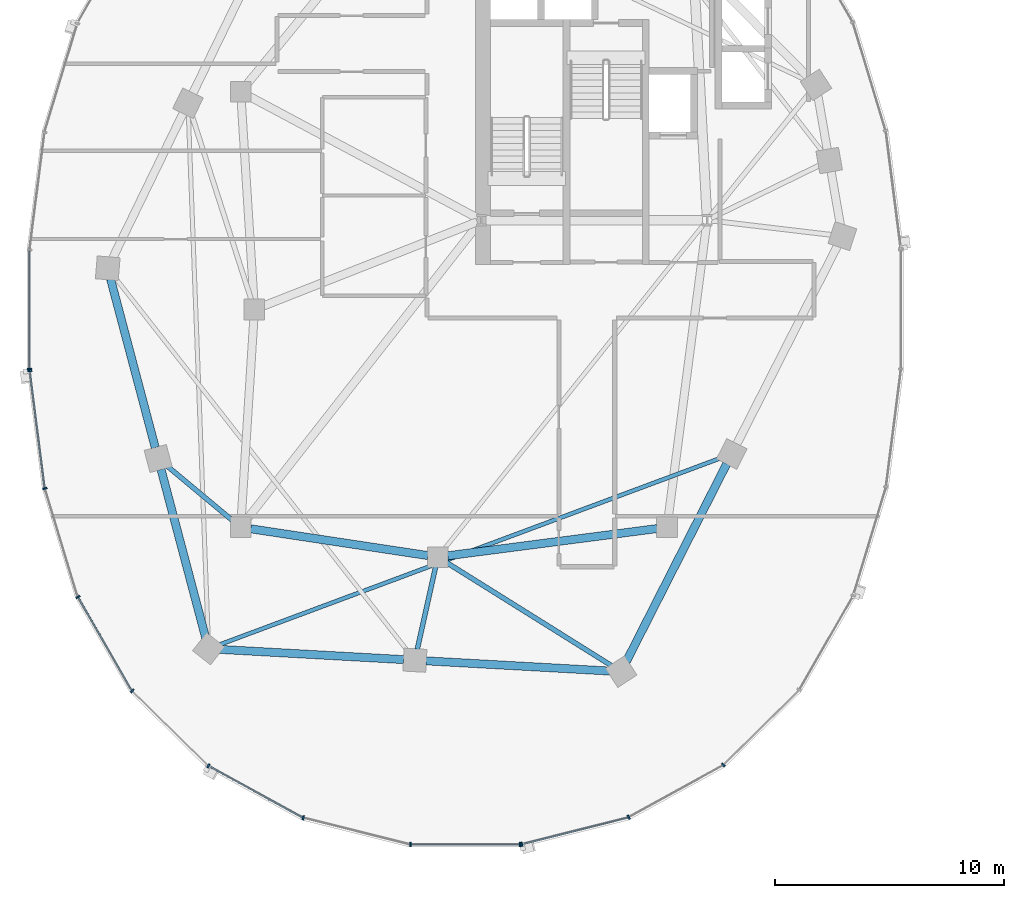
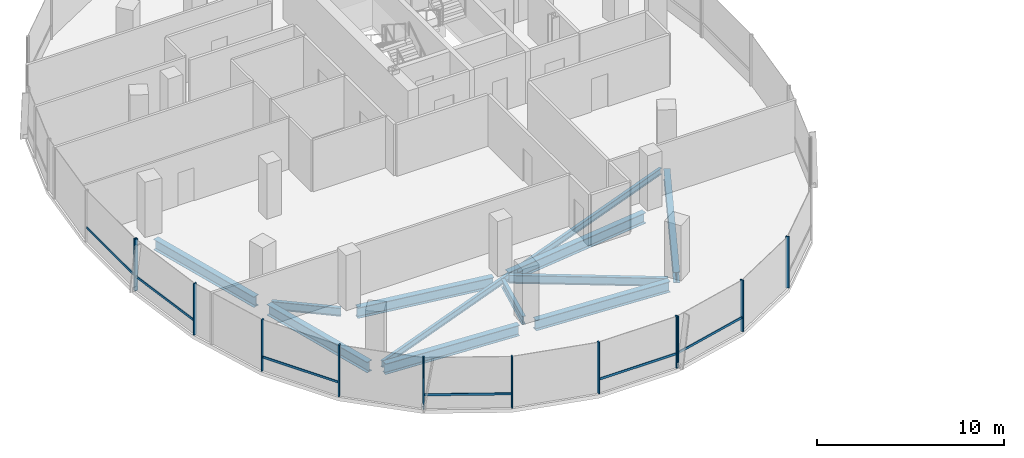
# One storey, part 2 of 22: 18 members, 11 beams, 3 elements without a shape of their own.
"""IFC4 building model written with IfcOpenShell, lengths in metres."""

from ifc_helpers import new_model, si_unit, direction, frame, origin, origin_2d, place, context, subcontext, project, spatial, rectangle, i_section, extrude, material, material_profile, profile_set, type_object, element, aggregate, save


model = new_model("IFC4")

# Units and contexts
model_context = context("Model", 3, precision=1e-05, world=origin(), true_north=direction((0.0, 1.0)))
body_context = subcontext(model_context, "Body", "Model", "MODEL_VIEW")
ifc_project = project(units=[si_unit("LENGTHUNIT", "METRE"), si_unit("AREAUNIT", "SQUARE_METRE"), si_unit("VOLUMEUNIT", "CUBIC_METRE"), si_unit("PLANEANGLEUNIT", "RADIAN"), si_unit("MASSUNIT", "GRAM", prefix="KILO"), si_unit("THERMODYNAMICTEMPERATUREUNIT", "KELVIN"), si_unit("POWERUNIT", "WATT")], contexts=[model_context])

# Site, building, storey
site_placement = place(None, origin())
site = spatial("IfcSite", under=ifc_project, at=site_placement, CompositionType="ELEMENT")
building_placement = place(site_placement, origin())
building = spatial("IfcBuilding", under=site, at=building_placement, Name="Cundina Bronze Exchange", CompositionType="ELEMENT")
storey_placement = place(building_placement, frame((0.0, 0.0, 151.199951171875)))
storey = spatial("IfcBuildingStorey", under=building, at=storey_placement, Name="L39", CompositionType="ELEMENT", Elevation=151.199951171875)

# Beams
ifc_material_1 = material(Name="Steel ASTM A992 Grade 50", Category="steel")
ifc_material_profile_1 = material_profile(ifc_material_1, i_section(OverallWidth=0.2119140625, OverallDepth=0.5439453125, WebThickness=0.01318359375, FlangeThickness=0.021240234375, FilletRadius=0.013916015625, at=origin_2d()), Name="W21X83", Category="steel")
ifc_profile_set_1 = profile_set([ifc_material_profile_1], Name="Steel ASTM A992 Grade 50")
beam_type_1 = type_object("IfcBeamType", Name="BM-FLR-W21A", PredefinedType="BEAM", material=ifc_profile_set_1)
beam_1_placement = place(storey_placement, frame((-42.136474609375, -9.219482421875, -0.511962890625), z_axis=(-0.768253211489, 0.640146079451, 0.0), x_axis=(-0.640146079451, -0.768253211489, 0.0)))
element("IfcBeam", 1, at=beam_1_placement, inside=storey, type_object=beam_type_1, Name="L39 Leg W Radial Floor Beam 09", PredefinedType="BEAM", context=body_context, shape_type="SweptSolid", body=[
    extrude(i_section(OverallWidth=0.2119140625, OverallDepth=0.5439453125, WebThickness=0.01318359375, FlangeThickness=0.021240234375, FilletRadius=0.013916015625, at=origin_2d()), origin(), (0.0, 0.0, 1.0), 3.760009765625),
])
beam_2_placement = place(storey_placement, frame((-33.294921875, -11.2275390625, -0.511962890625), z_axis=(-0.216923440287, -0.976188619609, 0.0), x_axis=(0.976188619609, -0.216923440287, 0.0)))
element("IfcBeam", 2, at=beam_2_placement, inside=storey, type_object=beam_type_1, Name="L39 Leg W Radial Floor Beam 11", PredefinedType="BEAM", context=body_context, shape_type="SweptSolid", body=[
    extrude(i_section(OverallWidth=0.2119140625, OverallDepth=0.5439453125, WebThickness=0.01318359375, FlangeThickness=0.021240234375, FilletRadius=0.013916015625, at=origin_2d()), origin(), (0.0, 0.0, 1.0), 3.68359375),
])
beam_3_placement = place(storey_placement, frame((-32.82861328125, -11.031982421875, -0.511962890625), z_axis=(0.847985407265, -0.530019574228, 0.0), x_axis=(0.530019574228, 0.847985407265, 0.0)))
element("IfcBeam", 3, at=beam_3_placement, inside=storey, type_object=beam_type_1, Name="L39 Leg W Radial Floor Beam 12", PredefinedType="BEAM", context=body_context, shape_type="SweptSolid", body=[
    extrude(i_section(OverallWidth=0.2119140625, OverallDepth=0.5439453125, WebThickness=0.01318359375, FlangeThickness=0.021240234375, FilletRadius=0.013916015625, at=origin_2d()), origin(), (0.0, 0.0, 1.0), 8.50830078125),
])
ifc_material_profile_2 = material_profile(ifc_material_1, i_section(OverallWidth=0.178955078125, OverallDepth=0.409912109375, WebThickness=0.0087890625, FlangeThickness=0.014404296875, FilletRadius=0.010986328125, at=origin_2d()), Name="W16X45", Category="steel")
ifc_profile_set_2 = profile_set([ifc_material_profile_2], Name="Steel ASTM A992 Grade 50")
beam_type_2 = type_object("IfcBeamType", Name="BM-JST-W16", PredefinedType="JOIST", material=ifc_profile_set_2)
beam_4_placement = place(storey_placement, frame((-42.74267578125, -14.629638671875, -0.445068359375), z_axis=(0.937127922351, 0.348986041483, 0.0), x_axis=(-0.348986041483, 0.937127922351, 0.0)))
element("IfcBeam", 4, at=beam_4_placement, inside=storey, type_object=beam_type_2, Name="L39 Leg W Lobe Floor Joist 10-13", PredefinedType="JOIST", context=body_context, shape_type="SweptSolid", body=[
    extrude(i_section(OverallWidth=0.178955078125, OverallDepth=0.409912109375, WebThickness=0.0087890625, FlangeThickness=0.014404296875, FilletRadius=0.010986328125, at=origin_2d()), origin(), (0.0, 0.0, 1.0), 23.38037109375),
])
ifc_material_profile_3 = material_profile(ifc_material_1, i_section(OverallWidth=0.35498046875, OverallDepth=0.695068359375, WebThickness=0.015380859375, FlangeThickness=0.02490234375, FilletRadius=0.01806640625, at=origin_2d()), Name="W27X146", Category="steel")
ifc_profile_set_3 = profile_set([ifc_material_profile_3], Name="Steel ASTM A992 Grade 50")
beam_type_3 = type_object("IfcBeamType", Name="BM-RING-W27", PredefinedType="USERDEFINED", material=ifc_profile_set_3)
beam_5_placement = place(storey_placement, frame((-41.366943359375, -9.5654296875, -0.58740234375), z_axis=(0.988764903598, -0.149478979839, 0.0), x_axis=(0.149478979839, 0.988764903598, 0.0)))
element("IfcBeam", 5, at=beam_5_placement, inside=storey, type_object=beam_type_3, Name="L39 W Inner Structural Ring Girder 05", ObjectType="GIRDER", PredefinedType="USERDEFINED", context=body_context, shape_type="SweptSolid", body=[
    extrude(i_section(OverallWidth=0.35498046875, OverallDepth=0.695068359375, WebThickness=0.015380859375, FlangeThickness=0.02490234375, FilletRadius=0.01806640625, at=origin_2d()), origin(), (0.0, 0.0, 1.0), 7.82177734375),
])
beam_6_placement = place(storey_placement, frame((-32.765625, -10.743408203125, -0.58740234375), z_axis=(0.991656498582, 0.128908451316, 0.0), x_axis=(-0.128908451316, 0.991656498582, 0.0)))
element("IfcBeam", 6, at=beam_6_placement, inside=storey, type_object=beam_type_3, Name="L39 W Inner Structural Ring Girder 06", ObjectType="GIRDER", PredefinedType="USERDEFINED", context=body_context, shape_type="SweptSolid", body=[
    extrude(i_section(OverallWidth=0.35498046875, OverallDepth=0.695068359375, WebThickness=0.015380859375, FlangeThickness=0.02490234375, FilletRadius=0.01806640625, at=origin_2d()), origin(), (0.0, 0.0, 1.0), 9.208251953125),
])
for number, where, z_axis, x_axis, name in (
    (7, (-47.47509765625, 1.328369140625, -0.58740234375), (0.256240814108, -0.966612975904, 0.0), (0.966612975904, 0.256240814108, 0.0), "L39 W Perimeter Ring Girder 08"),
    (8, (-45.27490234375, -6.9716796875, -0.58740234375), (0.256210841755, -0.96662092082, 0.0), (0.96662092082, 0.256210841755, 0.0), "L39 W Perimeter Ring Girder 09"),
):
    element("IfcBeam", number, at=place(storey_placement, frame(where, z_axis=z_axis, x_axis=x_axis)), inside=storey, type_object=beam_type_3, Name=name, ObjectType="GIRDER", PredefinedType="USERDEFINED", context=body_context, shape_type="SweptSolid", body=[
        extrude(i_section(OverallWidth=0.35498046875, OverallDepth=0.695068359375, WebThickness=0.015380859375, FlangeThickness=0.02490234375, FilletRadius=0.01806640625, at=origin_2d()), origin(), (0.0, 0.0, 1.0), 7.61083984375),
    ])
for number, where, z_axis, x_axis, name in (
    (9, (-42.712890625, -14.8271484375, -0.58740234375), (0.998460820451, -0.055461608559, 0.0), (0.055461608559, 0.998460820451, 0.0), "L39 W Perimeter Ring Girder 10"),
    (10, (-33.712890625, -15.3271484375, -0.58740234375), (0.998460820451, -0.055461608559, 0.0), (0.055461608559, 0.998460820451, 0.0), "L39 W Perimeter Ring Girder 11"),
):
    element("IfcBeam", number, at=place(storey_placement, frame(where, z_axis=z_axis, x_axis=x_axis)), inside=storey, type_object=beam_type_3, Name=name, ObjectType="GIRDER", PredefinedType="USERDEFINED", context=body_context, shape_type="SweptSolid", body=[
        extrude(i_section(OverallWidth=0.35498046875, OverallDepth=0.695068359375, WebThickness=0.015380859375, FlangeThickness=0.02490234375, FilletRadius=0.01806640625, at=origin_2d()), origin(), (0.0, 0.0, 1.0), 8.0380859375),
    ])
beam_7_placement = place(storey_placement, frame((-24.97900390625, -15.364990234375, -0.58740234375), z_axis=(0.452834585354, 0.891594548159, 0.0), x_axis=(-0.891594548159, 0.452834585354, 0.0)))
element("IfcBeam", 11, at=beam_7_placement, inside=storey, type_object=beam_type_3, Name="L39 W Perimeter Ring Girder 12", ObjectType="GIRDER", PredefinedType="USERDEFINED", context=body_context, shape_type="SweptSolid", body=[
    extrude(i_section(OverallWidth=0.35498046875, OverallDepth=0.695068359375, WebThickness=0.015380859375, FlangeThickness=0.02490234375, FilletRadius=0.01806640625, at=origin_2d()), origin(), (0.0, 0.0, 1.0), 9.67919921875),
])

# Curtain wall, member
ifc_material_2 = material(Name="Anodised Bronze Aluminium 6063-T6", Category="aluminium")
curtain_wall_type = type_object("IfcCurtainWallType", Name="CWS-WST-PIN", PredefinedType="NOTDEFINED", material=ifc_material_2)
curtain_wall_1_placement = place(storey_placement, origin())
curtain_wall_1 = element("IfcCurtainWall", 12, at=curtain_wall_1_placement, inside=storey, type_object=curtain_wall_type, Name="L39 CW-04 Curtain Wall Run CWR-L39-W2", PredefinedType="NOTDEFINED")
ifc_material_profile_4 = material_profile(ifc_material_2, rectangle(XDim=0.070068359375, YDim=0.18994140625, at=origin_2d()), Name="AL70X190", Category="aluminium")
ifc_profile_set_4 = profile_set([ifc_material_profile_4], Name="Anodised Bronze Aluminium 6063-T6")
member_type_1 = type_object("IfcMemberType", Name="CWM-MUL-190", PredefinedType="MULLION", material=ifc_profile_set_4)
member_1_placement = place(storey_placement, frame((-51.007080078125, -2.593017578125, 0.0), z_axis=(0.0, 0.0, 1.0), x_axis=(0.0, -1.0, 0.0)))
member_1 = element("IfcMember", 13, at=member_1_placement, type_object=member_type_1, Name="CW-04 End Mullion", PredefinedType="MULLION", context=body_context, shape_type="SweptSolid", body=[
    extrude(rectangle(XDim=0.070068359375, YDim=0.18994140625, at=origin_2d()), origin(), (0.0, 0.0, 1.0), 3.360107421875),
])

# Curtain wall, members
curtain_wall_2_placement = place(storey_placement, origin())
curtain_wall_2 = element("IfcCurtainWall", 14, at=curtain_wall_2_placement, inside=storey, type_object=curtain_wall_type, Name="L39 CW-04 Curtain Wall Run CWR-L39-W3", PredefinedType="NOTDEFINED")
member_2_placement = place(storey_placement, frame((-51.001708984375, -2.676025390625, 0.0), z_axis=(0.0, 0.0, 1.0), x_axis=(0.126545236492, -0.991960837494, 0.0)))
member_2 = element("IfcMember", 15, at=member_2_placement, type_object=member_type_1, Name="CW-04 Mullion 1", PredefinedType="MULLION", context=body_context, shape_type="SweptSolid", body=[
    extrude(rectangle(XDim=0.070068359375, YDim=0.18994140625, at=origin_2d()), origin(), (0.0, 0.0, 1.0), 3.360107421875),
])
member_3_placement = place(storey_placement, frame((-50.3408203125, -7.80859375, 0.0), z_axis=(0.0, 0.0, 1.0), x_axis=(0.290034140915, -0.957016299288, 0.0)))
member_3 = element("IfcMember", 16, at=member_3_placement, type_object=member_type_1, Name="CW-04 Mullion 2", PredefinedType="MULLION", context=body_context, shape_type="SweptSolid", body=[
    extrude(rectangle(XDim=0.070068359375, YDim=0.18994140625, at=origin_2d()), origin(), (0.0, 0.0, 1.0), 3.360107421875),
])
member_4_placement = place(storey_placement, frame((-48.89794921875, -12.541259765625, 0.0), z_axis=(0.0, 0.0, 1.0), x_axis=(0.498487739754, -0.866896748936, 0.0)))
member_4 = element("IfcMember", 17, at=member_4_placement, type_object=member_type_1, Name="CW-04 Mullion 3", PredefinedType="MULLION", context=body_context, shape_type="SweptSolid", body=[
    extrude(rectangle(XDim=0.070068359375, YDim=0.18994140625, at=origin_2d()), origin(), (0.0, 0.0, 1.0), 3.360107421875),
])
member_5_placement = place(storey_placement, frame((-46.530517578125, -16.640380859375, 0.0), z_axis=(0.0, 0.0, 1.0), x_axis=(0.712026045991, -0.702153052995, 0.0)))
member_5 = element("IfcMember", 18, at=member_5_placement, type_object=member_type_1, Name="CW-04 Mullion 4", PredefinedType="MULLION", context=body_context, shape_type="SweptSolid", body=[
    extrude(rectangle(XDim=0.070068359375, YDim=0.18994140625, at=origin_2d()), origin(), (0.0, 0.0, 1.0), 3.360107421875),
])
member_6_placement = place(storey_placement, frame((-43.20654296875, -19.906005859375, 0.0), z_axis=(0.0, 0.0, 1.0), x_axis=(0.875885937035, -0.482518212408, 0.0)))
member_6 = element("IfcMember", 19, at=member_6_placement, type_object=member_type_1, Name="CW-04 Mullion 5", PredefinedType="MULLION", context=body_context, shape_type="SweptSolid", body=[
    extrude(rectangle(XDim=0.070068359375, YDim=0.18994140625, at=origin_2d()), origin(), (0.0, 0.0, 1.0), 3.360107421875),
])
member_7_placement = place(storey_placement, frame((-39.067626953125, -22.17626953125, 0.0), z_axis=(0.0, 0.0, 1.0), x_axis=(0.970084240161, -0.242768546132, 0.0)))
member_7 = element("IfcMember", 20, at=member_7_placement, type_object=member_type_1, Name="CW-04 Mullion 6", PredefinedType="MULLION", context=body_context, shape_type="SweptSolid", body=[
    extrude(rectangle(XDim=0.070068359375, YDim=0.18994140625, at=origin_2d()), origin(), (0.0, 0.0, 1.0), 3.360107421875),
])
member_8_placement = place(storey_placement, frame((-34.39404296875, -23.3369140625, 0.0), z_axis=(0.0, 0.0, 1.0), x_axis=(1.0, 0.0, 0.0)))
member_8 = element("IfcMember", 21, at=member_8_placement, type_object=member_type_1, Name="CW-04 Mullion 7", PredefinedType="MULLION", context=body_context, shape_type="SweptSolid", body=[
    extrude(rectangle(XDim=0.070068359375, YDim=0.18994140625, at=origin_2d()), origin(), (0.0, 0.0, 1.0), 3.360107421875),
])
member_9_placement = place(storey_placement, frame((-29.60595703125, -23.3369140625, 0.0), z_axis=(0.0, 0.0, 1.0), x_axis=(1.0, 0.0, 0.0)))
member_9 = element("IfcMember", 22, at=member_9_placement, type_object=member_type_1, Name="CW-04 End Mullion", PredefinedType="MULLION", context=body_context, shape_type="SweptSolid", body=[
    extrude(rectangle(XDim=0.070068359375, YDim=0.18994140625, at=origin_2d()), origin(), (0.0, 0.0, 1.0), 3.360107421875),
])

curtain_wall_3_placement = place(storey_placement, origin())
curtain_wall_3 = element("IfcCurtainWall", 23, at=curtain_wall_3_placement, inside=storey, type_object=curtain_wall_type, Name="L39 CW-04 Curtain Wall Run CWR-L39-W4", PredefinedType="NOTDEFINED")
member_10_placement = place(storey_placement, frame((-29.537353515625, -23.32861328125, 0.0), z_axis=(0.0, 0.0, 1.0), x_axis=(0.970084240161, 0.242768546132, 0.0)))
member_10 = element("IfcMember", 24, at=member_10_placement, type_object=member_type_1, Name="CW-04 Mullion 1", PredefinedType="MULLION", context=body_context, shape_type="SweptSolid", body=[
    extrude(rectangle(XDim=0.070068359375, YDim=0.18994140625, at=origin_2d()), origin(), (0.0, 0.0, 1.0), 3.360107421875),
])
member_11_placement = place(storey_placement, frame((-24.86962890625, -22.151611328125, 0.0), z_axis=(0.0, 0.0, 1.0), x_axis=(0.875885937035, 0.482518212408, 0.0)))
member_11 = element("IfcMember", 25, at=member_11_placement, type_object=member_type_1, Name="CW-04 Mullion 2", PredefinedType="MULLION", context=body_context, shape_type="SweptSolid", body=[
    extrude(rectangle(XDim=0.070068359375, YDim=0.18994140625, at=origin_2d()), origin(), (0.0, 0.0, 1.0), 3.360107421875),
])
member_12_placement = place(storey_placement, frame((-20.740966796875, -19.86669921875, 0.0), z_axis=(0.0, 0.0, 1.0), x_axis=(0.712026045991, 0.702153052995, 0.0)))
member_12 = element("IfcMember", 26, at=member_12_placement, type_object=member_type_1, Name="CW-04 Mullion 3", PredefinedType="MULLION", context=body_context, shape_type="SweptSolid", body=[
    extrude(rectangle(XDim=0.070068359375, YDim=0.18994140625, at=origin_2d()), origin(), (0.0, 0.0, 1.0), 3.360107421875),
])

# Member
ifc_material_profile_5 = material_profile(ifc_material_2, rectangle(XDim=0.06494140625, YDim=0.14990234375, at=origin_2d()), Name="AL65X150", Category="aluminium")
ifc_profile_set_5 = profile_set([ifc_material_profile_5], Name="Anodised Bronze Aluminium 6063-T6")
member_type_2 = type_object("IfcMemberType", Name="CWM-TRN-150", PredefinedType="USERDEFINED", material=ifc_profile_set_5)
member_13_placement = place(storey_placement, frame((-51.007080078125, 2.554443359375, 0.920166015625), z_axis=(0.0, -1.0, 0.0), x_axis=(1.0, 0.0, 0.0)))
member_13 = element("IfcMember", 27, at=member_13_placement, type_object=member_type_2, Name="CW-04 Spandrel Transom 7", ObjectType="TRANSOM", PredefinedType="USERDEFINED", context=body_context, shape_type="SweptSolid", body=[
    extrude(rectangle(XDim=0.06494140625, YDim=0.14990234375, at=origin_2d()), origin(), (0.0, 0.0, 1.0), 5.10888671875),
])

aggregate(curtain_wall_1, [member_1, member_13])

member_14_placement = place(storey_placement, frame((-50.996826171875, -2.71435546875, 0.920166015625), z_axis=(0.12646340362, -0.991971273548, 0.0), x_axis=(0.991971273548, 0.12646340362, 0.0)))
member_14 = element("IfcMember", 28, at=member_14_placement, type_object=member_type_2, Name="CW-04 Spandrel Transom 1", ObjectType="TRANSOM", PredefinedType="USERDEFINED", context=body_context, shape_type="SweptSolid", body=[
    extrude(rectangle(XDim=0.06494140625, YDim=0.14990234375, at=origin_2d()), origin(), (0.0, 0.0, 1.0), 5.0966796875),
])

member_15_placement = place(storey_placement, frame((-48.878662109375, -12.574462890625, 0.920166015625), z_axis=(0.498479967047, -0.866901218394, 0.0), x_axis=(0.866901218394, 0.498479967047, 0.0)))
member_15 = element("IfcMember", 29, at=member_15_placement, type_object=member_type_2, Name="CW-04 Spandrel Transom 3", ObjectType="TRANSOM", PredefinedType="USERDEFINED", context=body_context, shape_type="SweptSolid", body=[
    extrude(rectangle(XDim=0.06494140625, YDim=0.14990234375, at=origin_2d()), origin(), (0.0, 0.0, 1.0), 4.66845703125),
])

member_16_placement = place(storey_placement, frame((-43.1728515625, -19.924560546875, 0.920166015625), z_axis=(0.875878981549, -0.482530838062, 0.0), x_axis=(0.482530838062, 0.875878981549, 0.0)))
member_16 = element("IfcMember", 30, at=member_16_placement, type_object=member_type_2, Name="CW-04 Spandrel Transom 5", ObjectType="TRANSOM", PredefinedType="USERDEFINED", context=body_context, shape_type="SweptSolid", body=[
    extrude(rectangle(XDim=0.06494140625, YDim=0.14990234375, at=origin_2d()), origin(), (0.0, 0.0, 1.0), 4.65380859375),
])

member_17_placement = place(storey_placement, frame((-34.35546875, -23.3369140625, 0.920166015625), z_axis=(1.0, 0.0, 0.0), x_axis=(0.0, 1.0, 0.0)))
member_17 = element("IfcMember", 31, at=member_17_placement, type_object=member_type_2, Name="CW-04 Spandrel Transom 7", ObjectType="TRANSOM", PredefinedType="USERDEFINED", context=body_context, shape_type="SweptSolid", body=[
    extrude(rectangle(XDim=0.06494140625, YDim=0.14990234375, at=origin_2d()), origin(), (0.0, 0.0, 1.0), 4.7109375),
])

aggregate(curtain_wall_2, [member_2, member_14, member_3, member_4, member_15, member_5, member_6, member_16, member_7, member_8, member_9, member_17])

member_18_placement = place(storey_placement, frame((-29.5, -23.319091796875, 0.920166015625), z_axis=(0.970100130035, 0.242705042606, 0.0), x_axis=(-0.242705042606, 0.970100130035, 0.0)))
member_18 = element("IfcMember", 32, at=member_18_placement, type_object=member_type_2, Name="CW-04 Spandrel Transom 1", ObjectType="TRANSOM", PredefinedType="USERDEFINED", context=body_context, shape_type="SweptSolid", body=[
    extrude(rectangle(XDim=0.06494140625, YDim=0.14990234375, at=origin_2d()), origin(), (0.0, 0.0, 1.0), 4.746826171875),
])

aggregate(curtain_wall_3, [member_10, member_18, member_11, member_12])

save(model, "model.ifc")
